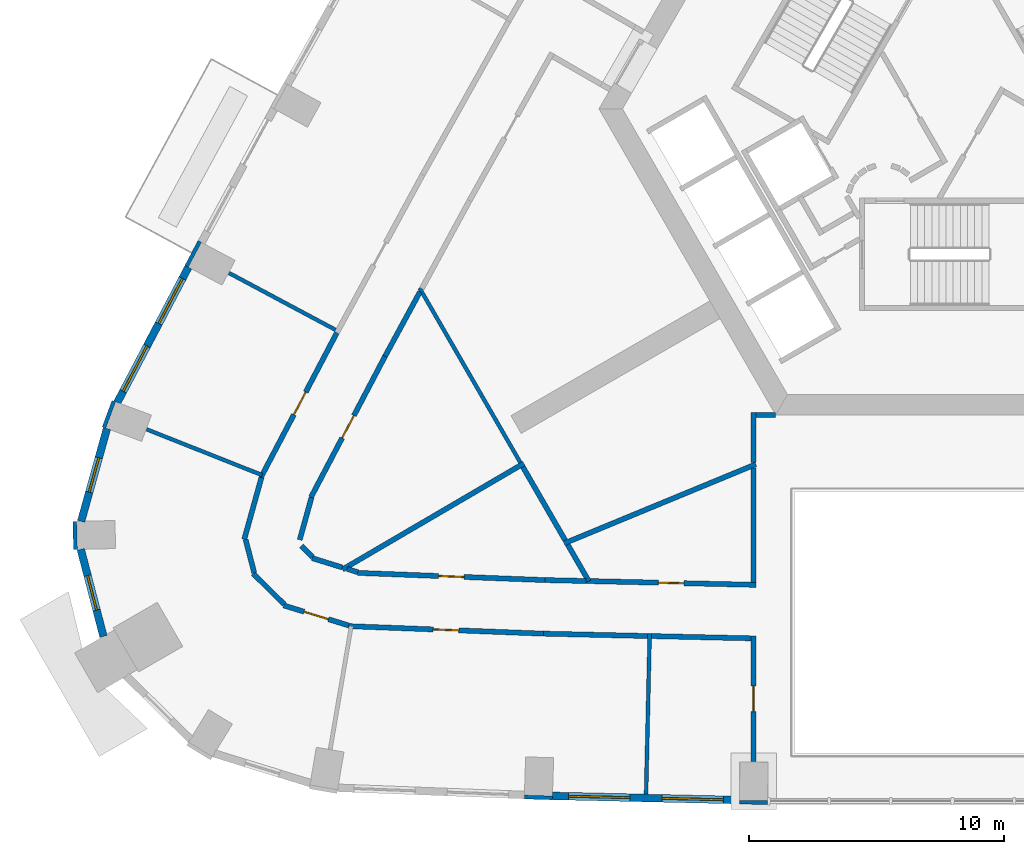
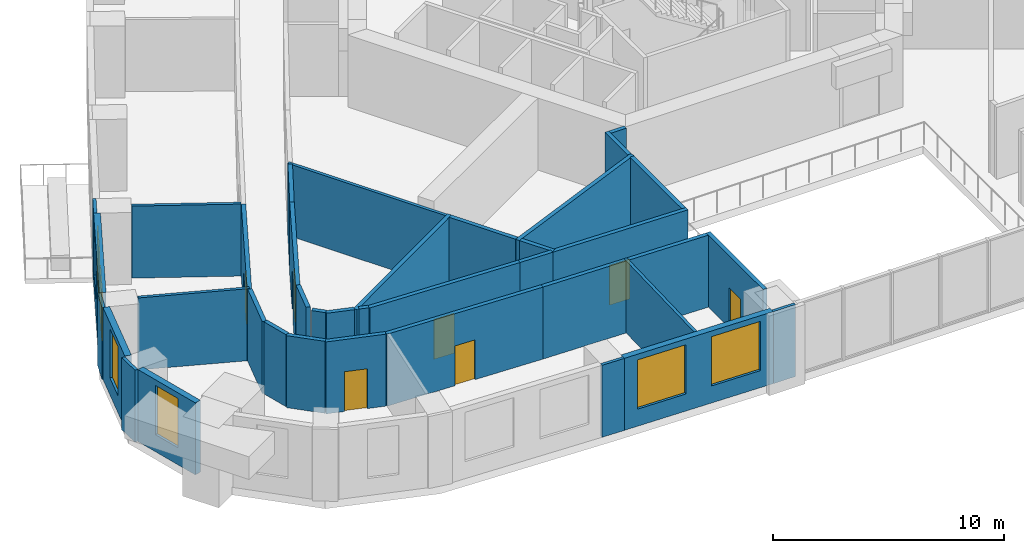
# One storey, part 4 of 14: 38 walls, 7 doors, 6 windows, 13 openings.
"""IFC4 building model written with IfcOpenShell, lengths in metres."""

from ifc_helpers import new_model, si_unit, direction, frame, frame_2d, origin, place, context, subcontext, project, spatial, rectangle, extrude, material, layer, layer_set, type_object, element, fill, save


model = new_model("IFC4")

# Units and contexts
model_context = context("Model", 3, precision=1e-05, world=origin(), true_north=direction((0.0, 1.0)))
body_context = subcontext(model_context, "Body", "Model", "MODEL_VIEW")
ifc_project = project(units=[si_unit("LENGTHUNIT", "METRE"), si_unit("AREAUNIT", "SQUARE_METRE"), si_unit("VOLUMEUNIT", "CUBIC_METRE"), si_unit("PLANEANGLEUNIT", "RADIAN"), si_unit("MASSUNIT", "GRAM", prefix="KILO")], contexts=[model_context])

# Site, building, storey
site_placement = place(None, origin())
site = spatial("IfcSite", under=ifc_project, at=site_placement, CompositionType="ELEMENT")
building_placement = place(site_placement, origin())
building = spatial("IfcBuilding", under=site, at=building_placement, Name="Entoto Arch Interchange Tower", CompositionType="ELEMENT")
storey_placement = place(building_placement, frame((0.0, 0.0, 159.199951171875)))
storey = spatial("IfcBuildingStorey", under=building, at=storey_placement, Name="L35", CompositionType="ELEMENT", Elevation=159.199951171875)

# Walls
ifc_material_1 = material(Name="Gypsum board partition on steel studs", Category="steel")
ifc_layer_1 = layer(ifc_material_1, 0.14990234375)
ifc_layer_set_1 = layer_set([ifc_layer_1], Name="Gypsum board partition on steel studs")
wall_type_1 = type_object("IfcWallType", Name="PARTITION 150", PredefinedType="PARTITIONING", material=ifc_layer_set_1)
wall_1_placement = place(storey_placement, frame((-16.93896484375, -11.360107421875, 0.0), z_axis=(0.0, 0.0, 1.0), x_axis=(-0.500053473428, 0.865994528685, 0.0)))
element("IfcWall", 1, at=wall_1_placement, inside=storey, type_object=wall_type_1, Name="wall:L35:p119", PredefinedType="PARTITIONING", context=body_context, shape_type="SweptSolid", body=[
    extrude(rectangle(XDim=7.895263671875, YDim=0.14990234375, at=frame_2d((3.94775390625, 0.0))), origin(), (0.0, 0.0, 1.0), 3.800048828125),
])
wall_2_placement = place(storey_placement, frame((-24.181884765625, -6.162109375, 0.0), z_axis=(0.0, 0.0, 1.0), x_axis=(-0.88214427755, 0.470979270866, 0.0)))
element("IfcWall", 2, at=wall_2_placement, inside=storey, type_object=wall_type_1, Name="wall:L35:p135", PredefinedType="PARTITIONING", context=body_context, shape_type="SweptSolid", body=[
    extrude(rectangle(XDim=4.730712890625, YDim=0.14990234375, at=frame_2d((2.365234375, 0.0))), origin(), (0.0, 0.0, 1.0), 3.800048828125),
])
wall_3_placement = place(storey_placement, frame((-27.05908203125, -11.85498046875, 0.0), z_axis=(0.0, 0.0, 1.0), x_axis=(-0.92964843089, 0.368447818481, 0.0)))
element("IfcWall", 3, at=wall_3_placement, inside=storey, type_object=wall_type_1, Name="wall:L35:p136", PredefinedType="PARTITIONING", context=body_context, shape_type="SweptSolid", body=[
    extrude(rectangle(XDim=4.8662109375, YDim=0.14990234375, at=frame_2d((2.43310546875, 0.0))), origin(), (0.0, 0.0, 1.0), 3.800048828125),
])
wall_4_placement = place(storey_placement, frame((-11.867919921875, -18.06298828125, 0.0), z_axis=(0.0, 0.0, 1.0), x_axis=(-0.022551528502, -0.999745681942, 0.0)))
element("IfcWall", 4, at=wall_4_placement, inside=storey, type_object=wall_type_1, Name="wall:L35:p138", PredefinedType="PARTITIONING", context=body_context, shape_type="SweptSolid", body=[
    extrude(rectangle(XDim=6.30078125, YDim=0.14990234375, at=frame_2d((3.150390625, 0.0))), origin(), (0.0, 0.0, 1.0), 3.800048828125),
])

# Wall, opening, door
ifc_layer_2 = layer(ifc_material_1, 0.199951171875)
ifc_layer_set_2 = layer_set([ifc_layer_2], Name="Gypsum board partition on steel studs")
wall_type_2 = type_object("IfcWallType", Name="PARTITION 200", PredefinedType="PARTITIONING", material=ifc_layer_set_2)
wall_5_placement = place(storey_placement, frame((-14.35595703125, -16.006103515625, 0.0), z_axis=(0.0, 0.0, 1.0), x_axis=(0.999743177933, -0.022662263286, 0.0)))
wall_5 = element("IfcWall", 5, at=wall_5_placement, inside=storey, type_object=wall_type_2, Name="wall:L35:p031", PredefinedType="PARTITIONING", context=body_context, shape_type="SweptSolid", body=[
    extrude(rectangle(XDim=6.65771484375, YDim=0.199951171875, at=frame_2d((3.328857421875, 0.0))), origin(), (0.0, 0.0, 1.0), 3.800048828125),
])
opening_1_placement = place(wall_5_placement, frame((2.8291015625, 0.0, 0.0)))
opening_1 = element("IfcOpeningElement", 6, at=opening_1_placement, cuts=wall_5, Name="Opening L35-D25", PredefinedType="OPENING", context=body_context, shape_type="SweptSolid", body=[
    extrude(rectangle(XDim=1.0, YDim=2.10009765625, at=frame_2d((0.5, 1.050048828125))), frame((0.0, 0.10986328125, 0.0), z_axis=(0.0, -1.0, 0.0), x_axis=(1.0, 0.0, 0.0)), (0.0, 0.0, 1.0), 0.219970703125),
])
ifc_material_2 = material(Name="Timber door leaf in Steel S235 frame", Category="steel")
door_type = type_object("IfcDoorType", Name="DOOR DS-10 1000x2100", OperationType="SINGLE_SWING_LEFT", PredefinedType="DOOR", material=ifc_material_2)
door_1_placement = place(opening_1_placement, origin())
door_1 = element("IfcDoor", 7, at=door_1_placement, inside=storey, type_object=door_type, Name="door:L35:25", OperationType="SINGLE_SWING_LEFT", OverallHeight=2.10009765625, OverallWidth=1.0, PredefinedType="DOOR", context=body_context, shape_type="SweptSolid", body=[
    extrude(rectangle(XDim=1.0, YDim=2.10009765625, at=frame_2d((0.5, 1.050048828125))), frame((0.0, 0.02490234375, 0.0), z_axis=(0.0, -1.0, 0.0), x_axis=(1.0, 0.0, 0.0)), (0.0, 0.0, 1.0), 0.050048828125),
])
fill(opening_1, door_1)

# Wall
wall_6_placement = place(storey_placement, frame((-20.873046875, -4.676025390625, 0.0), z_axis=(0.0, 0.0, 1.0), x_axis=(-0.476781985736, -0.879021579984, 0.0)))
element("IfcWall", 8, at=wall_6_placement, inside=storey, type_object=wall_type_2, Name="wall:L35:p032", PredefinedType="PARTITIONING", context=body_context, shape_type="SweptSolid", body=[
    extrude(rectangle(XDim=2.869140625, YDim=0.199951171875, at=frame_2d((1.4345703125, 0.0))), origin(), (0.0, 0.0, 1.0), 3.800048828125),
])

# Wall, opening, door
wall_7_placement = place(storey_placement, frame((-22.240966796875, -7.197998046875, 0.0), z_axis=(0.0, 0.0, 1.0), x_axis=(-0.465089990515, -0.885263407536, 0.0)))
wall_7 = element("IfcWall", 9, at=wall_7_placement, inside=storey, type_object=wall_type_2, Name="wall:L35:p033", PredefinedType="PARTITIONING", context=body_context, shape_type="SweptSolid", body=[
    extrude(rectangle(XDim=6.23974609375, YDim=0.199951171875, at=frame_2d((3.119873046875, 0.0))), origin(), (0.0, 0.0, 1.0), 3.800048828125),
])
opening_2_placement = place(wall_7_placement, frame((2.6201171875, 0.0, 0.0)))
opening_2 = element("IfcOpeningElement", 10, at=opening_2_placement, cuts=wall_7, Name="Opening L35-D26", PredefinedType="OPENING", context=body_context, shape_type="SweptSolid", body=[
    extrude(rectangle(XDim=1.0, YDim=2.10009765625, at=frame_2d((0.5, 1.050048828125))), frame((0.0, 0.10986328125, 0.0), z_axis=(0.0, -1.0, 0.0), x_axis=(1.0, 0.0, 0.0)), (0.0, 0.0, 1.0), 0.219970703125),
])
door_2_placement = place(opening_2_placement, origin())
door_2 = element("IfcDoor", 11, at=door_2_placement, inside=storey, type_object=door_type, Name="door:L35:26", OperationType="SINGLE_SWING_LEFT", OverallHeight=2.10009765625, OverallWidth=1.0, PredefinedType="DOOR", context=body_context, shape_type="SweptSolid", body=[
    extrude(rectangle(XDim=1.0, YDim=2.10009765625, at=frame_2d((0.5, 1.050048828125))), frame((0.0, 0.02490234375, 0.0), z_axis=(0.0, -1.0, 0.0), x_axis=(1.0, 0.0, 0.0)), (0.0, 0.0, 1.0), 0.050048828125),
])
fill(opening_2, door_2)

# Walls
wall_8_placement = place(storey_placement, frame((-25.123046875, -12.72998046875, 0.0), z_axis=(0.0, 0.0, 1.0), x_axis=(-0.268139825244, -0.963380005044, 0.0)))
element("IfcWall", 12, at=wall_8_placement, inside=storey, type_object=wall_type_2, Name="wall:L35:p034", PredefinedType="PARTITIONING", context=body_context, shape_type="SweptSolid", body=[
    extrude(rectangle(XDim=1.726318359375, YDim=0.199951171875, at=frame_2d((0.86328125, 0.0))), origin(), (0.0, 0.0, 1.0), 3.800048828125),
])
wall_9_placement = place(storey_placement, frame((-25.52587890625, -14.6259765625, 0.0), z_axis=(0.0, 0.0, 1.0), x_axis=(0.711758647644, -0.702424108003, 0.0)))
element("IfcWall", 13, at=wall_9_placement, inside=storey, type_object=wall_type_2, Name="wall:L35:p035", PredefinedType="PARTITIONING", context=body_context, shape_type="SweptSolid", body=[
    extrude(rectangle(XDim=0.627685546875, YDim=0.199951171875, at=frame_2d((0.31396484375, 0.0))), origin(), (0.0, 0.0, 1.0), 3.800048828125),
])
wall_10_placement = place(storey_placement, frame((-25.10302734375, -15.10791015625, 0.0), z_axis=(0.0, 0.0, 1.0), x_axis=(0.955420813731, -0.295247470251, 0.0)))
element("IfcWall", 14, at=wall_10_placement, inside=storey, type_object=wall_type_2, Name="wall:L35:p036", PredefinedType="PARTITIONING", context=body_context, shape_type="SweptSolid", body=[
    extrude(rectangle(XDim=1.240234375, YDim=0.199951171875, at=frame_2d((0.6201171875, 0.0))), origin(), (0.0, 0.0, 1.0), 3.800048828125),
])
wall_11_placement = place(storey_placement, frame((-23.72705078125, -15.531982421875, 0.0), z_axis=(0.0, 0.0, 1.0), x_axis=(0.955237350621, -0.295840504289, 0.0)))
element("IfcWall", 15, at=wall_11_placement, inside=storey, type_object=wall_type_2, Name="wall:L35:p037", PredefinedType="PARTITIONING", context=body_context, shape_type="SweptSolid", body=[
    extrude(rectangle(XDim=0.43994140625, YDim=0.199951171875, at=frame_2d((0.219970703125, 0.0))), origin(), (0.0, 0.0, 1.0), 3.800048828125),
])

# Wall, opening, door
wall_12_placement = place(storey_placement, frame((-23.31103515625, -15.68798828125, 0.0), z_axis=(0.0, 0.0, 1.0), x_axis=(0.999262695969, -0.038393546916, 0.0)))
wall_12 = element("IfcWall", 16, at=wall_12_placement, inside=storey, type_object=wall_type_2, Name="wall:L35:p038", PredefinedType="PARTITIONING", context=body_context, shape_type="SweptSolid", body=[
    extrude(rectangle(XDim=7.344482421875, YDim=0.199951171875, at=frame_2d((3.67236328125, 0.0))), origin(), (0.0, 0.0, 1.0), 3.800048828125),
])
opening_3_placement = place(wall_12_placement, frame((3.172119140625, 0.0, 0.0)))
opening_3 = element("IfcOpeningElement", 17, at=opening_3_placement, cuts=wall_12, Name="Opening L35-D27", PredefinedType="OPENING", context=body_context, shape_type="SweptSolid", body=[
    extrude(rectangle(XDim=1.0, YDim=2.10009765625, at=frame_2d((0.5, 1.050048828125))), frame((0.0, 0.10986328125, 0.0), z_axis=(0.0, -1.0, 0.0), x_axis=(1.0, 0.0, 0.0)), (0.0, 0.0, 1.0), 0.219970703125),
])
door_3_placement = place(opening_3_placement, origin())
door_3 = element("IfcDoor", 18, at=door_3_placement, inside=storey, type_object=door_type, Name="door:L35:27", OperationType="SINGLE_SWING_RIGHT", OverallHeight=2.10009765625, OverallWidth=1.0, PredefinedType="DOOR", context=body_context, shape_type="SweptSolid", body=[
    extrude(rectangle(XDim=1.0, YDim=2.10009765625, at=frame_2d((0.5, 1.050048828125))), frame((0.0, 0.02490234375, 0.0), z_axis=(0.0, -1.0, 0.0), x_axis=(1.0, 0.0, 0.0)), (0.0, 0.0, 1.0), 0.050048828125),
])
fill(opening_3, door_3)

# Wall
wall_13_placement = place(storey_placement, frame((-15.971923828125, -15.969970703125, 0.0), z_axis=(0.0, 0.0, 1.0), x_axis=(0.999750111735, -0.022354285623, 0.0)))
element("IfcWall", 19, at=wall_13_placement, inside=storey, type_object=wall_type_2, Name="wall:L35:p039", PredefinedType="PARTITIONING", context=body_context, shape_type="SweptSolid", body=[
    extrude(rectangle(XDim=1.616455078125, YDim=0.199951171875, at=frame_2d((0.80810546875, 0.0))), origin(), (0.0, 0.0, 1.0), 3.800048828125),
])

# Wall, opening, door
wall_14_placement = place(storey_placement, frame((-27.10595703125, -11.944091796875, 0.0), z_axis=(0.0, 0.0, 1.0), x_axis=(0.464985599417, 0.885318243534, 0.0)))
wall_14 = element("IfcWall", 20, at=wall_14_placement, inside=storey, type_object=wall_type_2, Name="wall:L35:p066", PredefinedType="PARTITIONING", context=body_context, shape_type="SweptSolid", body=[
    extrude(rectangle(XDim=6.40234375, YDim=0.199951171875, at=frame_2d((3.201171875, 0.0))), origin(), (0.0, 0.0, 1.0), 3.800048828125),
])
opening_4_placement = place(wall_14_placement, frame((2.77587890625, 0.0, 0.0)))
opening_4 = element("IfcOpeningElement", 21, at=opening_4_placement, cuts=wall_14, Name="Opening L35-D14", PredefinedType="OPENING", context=body_context, shape_type="SweptSolid", body=[
    extrude(rectangle(XDim=1.0, YDim=2.10009765625, at=frame_2d((0.5, 1.050048828125))), frame((0.0, 0.10986328125, 0.0), z_axis=(0.0, -1.0, 0.0), x_axis=(1.0, 0.0, 0.0)), (0.0, 0.0, 1.0), 0.219970703125),
])
door_4_placement = place(opening_4_placement, origin())
door_4 = element("IfcDoor", 22, at=door_4_placement, inside=storey, type_object=door_type, Name="door:L35:14", OperationType="SINGLE_SWING_LEFT", OverallHeight=2.10009765625, OverallWidth=1.0, PredefinedType="DOOR", context=body_context, shape_type="SweptSolid", body=[
    extrude(rectangle(XDim=1.0, YDim=2.10009765625, at=frame_2d((0.5, 1.050048828125))), frame((0.0, 0.02490234375, 0.0), z_axis=(0.0, -1.0, 0.0), x_axis=(1.0, 0.0, 0.0)), (0.0, 0.0, 1.0), 0.050048828125),
])
fill(opening_4, door_4)

wall_15_placement = place(storey_placement, frame((-23.6630859375, -17.75, 0.0), z_axis=(0.0, 0.0, 1.0), x_axis=(-0.955509582123, 0.294960062501, 0.0)))
wall_15 = element("IfcWall", 23, at=wall_15_placement, inside=storey, type_object=wall_type_2, Name="wall:L35:p067", PredefinedType="PARTITIONING", context=body_context, shape_type="SweptSolid", body=[
    extrude(rectangle(XDim=2.66845703125, YDim=0.199951171875, at=frame_2d((1.334228515625, 0.0))), origin(), (0.0, 0.0, 1.0), 3.800048828125),
])
opening_5_placement = place(wall_15_placement, frame((0.833984375, 0.0, 0.0)))
opening_5 = element("IfcOpeningElement", 24, at=opening_5_placement, cuts=wall_15, Name="Opening L35-D15", PredefinedType="OPENING", context=body_context, shape_type="SweptSolid", body=[
    extrude(rectangle(XDim=1.0, YDim=2.10009765625, at=frame_2d((0.5, 1.050048828125))), frame((0.0, 0.10986328125, 0.0), z_axis=(0.0, -1.0, 0.0), x_axis=(1.0, 0.0, 0.0)), (0.0, 0.0, 1.0), 0.219970703125),
])
door_5_placement = place(opening_5_placement, origin())
door_5 = element("IfcDoor", 25, at=door_5_placement, inside=storey, type_object=door_type, Name="door:L35:15", OperationType="SINGLE_SWING_LEFT", OverallHeight=2.10009765625, OverallWidth=1.0, PredefinedType="DOOR", context=body_context, shape_type="SweptSolid", body=[
    extrude(rectangle(XDim=1.0, YDim=2.10009765625, at=frame_2d((0.5, 1.050048828125))), frame((0.0, 0.02490234375, 0.0), z_axis=(0.0, -1.0, 0.0), x_axis=(1.0, 0.0, 0.0)), (0.0, 0.0, 1.0), 0.050048828125),
])
fill(opening_5, door_5)

# Walls
wall_16_placement = place(storey_placement, frame((-26.18798828125, -16.922119140625, 0.0), z_axis=(0.0, 0.0, 1.0), x_axis=(-0.712339678389, 0.701834868465, 0.0)))
element("IfcWall", 26, at=wall_16_placement, inside=storey, type_object=wall_type_2, Name="wall:L35:p068", PredefinedType="PARTITIONING", context=body_context, shape_type="SweptSolid", body=[
    extrude(rectangle(XDim=1.7197265625, YDim=0.199951171875, at=frame_2d((0.85986328125, 0.0))), origin(), (0.0, 0.0, 1.0), 3.800048828125),
])
wall_17_placement = place(storey_placement, frame((-27.366943359375, -15.68798828125, 0.0), z_axis=(0.0, 0.0, 1.0), x_axis=(-0.25159336549, 0.967833032316, 0.0)))
element("IfcWall", 27, at=wall_17_placement, inside=storey, type_object=wall_type_2, Name="wall:L35:p069", PredefinedType="PARTITIONING", context=body_context, shape_type="SweptSolid", body=[
    extrude(rectangle(XDim=1.355712890625, YDim=0.199951171875, at=frame_2d((0.677734375, 0.0))), origin(), (0.0, 0.0, 1.0), 3.800048828125),
])
wall_18_placement = place(storey_placement, frame((-27.760009765625, -14.3759765625, 0.0), z_axis=(0.0, 0.0, 1.0), x_axis=(0.267909096687, 0.963444194498, 0.0)))
element("IfcWall", 28, at=wall_18_placement, inside=storey, type_object=wall_type_2, Name="wall:L35:p070", PredefinedType="PARTITIONING", context=body_context, shape_type="SweptSolid", body=[
    extrude(rectangle(XDim=2.51611328125, YDim=0.199951171875, at=frame_2d((1.258056640625, 0.0))), origin(), (0.0, 0.0, 1.0), 3.800048828125),
])
wall_19_placement = place(storey_placement, frame((-11.945068359375, -18.162109375, 0.0), z_axis=(0.0, 0.0, 1.0), x_axis=(-0.999741589065, 0.022732247877, 0.0)))
element("IfcWall", 29, at=wall_19_placement, inside=storey, type_object=wall_type_2, Name="wall:L35:p071", PredefinedType="PARTITIONING", context=body_context, shape_type="SweptSolid", body=[
    extrude(rectangle(XDim=4.091796875, YDim=0.199951171875, at=frame_2d((2.0458984375, 0.0))), origin(), (0.0, 0.0, 1.0), 3.800048828125),
])

# Wall, opening, door
wall_20_placement = place(storey_placement, frame((-16.035888671875, -18.069091796875, 0.0), z_axis=(0.0, 0.0, 1.0), x_axis=(-0.999262637786, 0.038395061202, 0.0)))
wall_20 = element("IfcWall", 30, at=wall_20_placement, inside=storey, type_object=wall_type_2, Name="wall:L35:p072", PredefinedType="PARTITIONING", context=body_context, shape_type="SweptSolid", body=[
    extrude(rectangle(XDim=7.63671875, YDim=0.199951171875, at=frame_2d((3.818359375, 0.0))), origin(), (0.0, 0.0, 1.0), 3.800048828125),
])
opening_6_placement = place(wall_20_placement, frame((3.318115234375, 0.0, 0.0)))
opening_6 = element("IfcOpeningElement", 31, at=opening_6_placement, cuts=wall_20, Name="Opening L35-D16", PredefinedType="OPENING", context=body_context, shape_type="SweptSolid", body=[
    extrude(rectangle(XDim=1.0, YDim=2.10009765625, at=frame_2d((0.5, 1.050048828125))), frame((0.0, 0.10986328125, 0.0), z_axis=(0.0, -1.0, 0.0), x_axis=(1.0, 0.0, 0.0)), (0.0, 0.0, 1.0), 0.219970703125),
])
door_6_placement = place(opening_6_placement, origin())
door_6 = element("IfcDoor", 32, at=door_6_placement, inside=storey, type_object=door_type, Name="door:L35:16", OperationType="SINGLE_SWING_RIGHT", OverallHeight=2.10009765625, OverallWidth=1.0, PredefinedType="DOOR", context=body_context, shape_type="SweptSolid", body=[
    extrude(rectangle(XDim=1.0, YDim=2.10009765625, at=frame_2d((0.5, 1.050048828125))), frame((0.0, 0.02490234375, 0.0), z_axis=(0.0, -1.0, 0.0), x_axis=(1.0, 0.0, 0.0)), (0.0, 0.0, 1.0), 0.050048828125),
])
fill(opening_6, door_6)

# Walls
wall_21_placement = place(storey_placement, frame((-7.89990234375, -18.2529296875, 0.0), z_axis=(0.0, 0.0, 1.0), x_axis=(-0.999745510411, 0.022559131487, 0.0)))
element("IfcWall", 33, at=wall_21_placement, inside=storey, type_object=wall_type_2, Name="wall:L35:p073", PredefinedType="PARTITIONING", context=body_context, shape_type="SweptSolid", body=[
    extrude(rectangle(XDim=3.89599609375, YDim=0.199951171875, at=frame_2d((1.947998046875, 0.0))), origin(), (0.0, 0.0, 1.0), 3.800048828125),
])
wall_22_placement = place(storey_placement, frame((-7.800048828125, -11.367919921875, 0.0), z_axis=(0.0, 0.0, 1.0), x_axis=(0.0, 1.0, 0.0)))
element("IfcWall", 34, at=wall_22_placement, inside=storey, type_object=wall_type_2, Name="wall:L35:p105", PredefinedType="PARTITIONING", context=body_context, shape_type="SweptSolid", body=[
    extrude(rectangle(XDim=1.968994140625, YDim=0.199951171875, at=frame_2d((0.984375, 0.0))), origin(), (0.0, 0.0, 1.0), 3.800048828125),
])
wall_23_placement = place(storey_placement, frame((-7.699951171875, -9.4990234375, 0.0), z_axis=(0.0, 0.0, 1.0), x_axis=(1.0, 0.0, 0.0)))
element("IfcWall", 35, at=wall_23_placement, inside=storey, type_object=wall_type_2, Name="wall:L35:p106", PredefinedType="PARTITIONING", context=body_context, shape_type="SweptSolid", body=[
    extrude(rectangle(XDim=0.77099609375, YDim=0.199951171875, at=frame_2d((0.385498046875, 0.0))), origin(), (0.0, 0.0, 1.0), 3.800048828125),
])
wall_24_placement = place(storey_placement, frame((-7.800048828125, -16.054931640625, 0.0), z_axis=(0.0, 0.0, 1.0), x_axis=(0.0, 1.0, 0.0)))
element("IfcWall", 36, at=wall_24_placement, inside=storey, type_object=wall_type_2, Name="wall:L35:p107", PredefinedType="PARTITIONING", context=body_context, shape_type="SweptSolid", body=[
    extrude(rectangle(XDim=4.48681640625, YDim=0.199951171875, at=frame_2d((2.243408203125, 0.0))), origin(), (0.0, 0.0, 1.0), 3.800048828125),
])

# Wall, opening, door
wall_25_placement = place(storey_placement, frame((-7.800048828125, -23.0869140625, 0.0), z_axis=(0.0, 0.0, 1.0), x_axis=(0.0, 1.0, 0.0)))
wall_25 = element("IfcWall", 37, at=wall_25_placement, inside=storey, type_object=wall_type_2, Name="wall:L35:p109", PredefinedType="PARTITIONING", context=body_context, shape_type="SweptSolid", body=[
    extrude(rectangle(XDim=4.931884765625, YDim=0.199951171875, at=frame_2d((2.4658203125, 0.0))), origin(), (0.0, 0.0, 1.0), 3.800048828125),
])
opening_7_placement = place(wall_25_placement, frame((1.966064453125, 0.0, 0.0)))
opening_7 = element("IfcOpeningElement", 38, at=opening_7_placement, cuts=wall_25, Name="Opening L35-D17", PredefinedType="OPENING", context=body_context, shape_type="SweptSolid", body=[
    extrude(rectangle(XDim=1.0, YDim=2.10009765625, at=frame_2d((0.5, 1.050048828125))), frame((0.0, 0.10986328125, 0.0), z_axis=(0.0, -1.0, 0.0), x_axis=(1.0, 0.0, 0.0)), (0.0, 0.0, 1.0), 0.219970703125),
])
door_7_placement = place(opening_7_placement, origin())
door_7 = element("IfcDoor", 39, at=door_7_placement, inside=storey, type_object=door_type, Name="door:L35:17", OperationType="SINGLE_SWING_LEFT", OverallHeight=2.10009765625, OverallWidth=1.0, PredefinedType="DOOR", context=body_context, shape_type="SweptSolid", body=[
    extrude(rectangle(XDim=1.0, YDim=2.10009765625, at=frame_2d((0.5, 1.050048828125))), frame((0.0, 0.02490234375, 0.0), z_axis=(0.0, -1.0, 0.0), x_axis=(1.0, 0.0, 0.0)), (0.0, 0.0, 1.0), 0.050048828125),
])
fill(opening_7, door_7)

# Walls
wall_26_placement = place(storey_placement, frame((-7.7080078125, -11.429931640625, 0.0), z_axis=(0.0, 0.0, 1.0), x_axis=(-0.924285151797, -0.381702709144, 0.0)))
element("IfcWall", 40, at=wall_26_placement, inside=storey, type_object=wall_type_2, Name="wall:L35:p118", PredefinedType="PARTITIONING", context=body_context, shape_type="SweptSolid", body=[
    extrude(rectangle(XDim=8.12939453125, YDim=0.199951171875, at=frame_2d((4.064697265625, 0.0))), origin(), (0.0, 0.0, 1.0), 3.800048828125),
])
wall_27_placement = place(storey_placement, frame((-15.179931640625, -14.407958984375, 0.0), z_axis=(0.0, 0.0, 1.0), x_axis=(-0.499968694491, 0.866043477274, 0.0)))
element("IfcWall", 41, at=wall_27_placement, inside=storey, type_object=wall_type_2, Name="wall:L35:p120", PredefinedType="PARTITIONING", context=body_context, shape_type="SweptSolid", body=[
    extrude(rectangle(XDim=3.318603515625, YDim=0.199951171875, at=frame_2d((1.6591796875, 0.0))), origin(), (0.0, 0.0, 1.0), 3.800048828125),
])
wall_28_placement = place(storey_placement, frame((-14.256103515625, -16.009033203125, 0.0), z_axis=(0.0, 0.0, 1.0), x_axis=(-0.499786551025, 0.86614860354, 0.0)))
element("IfcWall", 42, at=wall_28_placement, inside=storey, type_object=wall_type_2, Name="wall:L35:p121", PredefinedType="PARTITIONING", context=body_context, shape_type="SweptSolid", body=[
    extrude(rectangle(XDim=1.648681640625, YDim=0.199951171875, at=frame_2d((0.82421875, 0.0))), origin(), (0.0, 0.0, 1.0), 3.800048828125),
])
wall_29_placement = place(storey_placement, frame((-16.802978515625, -11.39697265625, 0.0), z_axis=(0.0, 0.0, 1.0), x_axis=(-0.863203941699, -0.504855380318, 0.0)))
element("IfcWall", 43, at=wall_29_placement, inside=storey, type_object=wall_type_2, Name="wall:L35:p122", PredefinedType="PARTITIONING", context=body_context, shape_type="SweptSolid", body=[
    extrude(rectangle(XDim=8.232177734375, YDim=0.199951171875, at=frame_2d((4.1162109375, 0.0))), origin(), (0.0, 0.0, 1.0), 3.800048828125),
])

# Wall, openings, windows
ifc_material_3 = material(Name="Welded tuff (ignimbrite) cladding, warm buff", Category="masonry")
ifc_layer_3 = layer(ifc_material_3, 0.300048828125)
ifc_layer_set_3 = layer_set([ifc_layer_3], Name="Welded tuff (ignimbrite) cladding, warm buff")
wall_type_3 = type_object("IfcWallType", Name="STONE INFILL WALL 300", PredefinedType="STANDARD", material=ifc_layer_set_3)
wall_30_placement = place(storey_placement, frame((-15.679931640625, -24.428955078125, 0.0), z_axis=(0.0, 0.0, 1.0), x_axis=(0.999743825009, -0.022633699594, 0.0)))
wall_30 = element("IfcWall", 44, at=wall_30_placement, inside=storey, type_object=wall_type_3, Name="Facade wall S-02 L35", PredefinedType="STANDARD", context=body_context, shape_type="SweptSolid", body=[
    extrude(rectangle(XDim=7.3349609375, YDim=0.300048828125, at=frame_2d((3.66748046875, 0.0))), origin(), (0.0, 0.0, 1.0), 3.800048828125),
])
opening_8_placement = place(wall_30_placement, frame((0.634033203125, 0.0, 0.89990234375)))
opening_8 = element("IfcOpeningElement", 45, at=opening_8_placement, cuts=wall_30, Name="Opening WO-A", PredefinedType="OPENING", context=body_context, shape_type="SweptSolid", body=[
    extrude(rectangle(XDim=2.39990234375, YDim=2.60009765625, at=frame_2d((1.199951171875, 1.300048828125))), frame((0.0, 0.16015625, 0.0), z_axis=(0.0, -1.0, 0.0), x_axis=(1.0, 0.0, 0.0)), (0.0, 0.0, 1.0), 0.320068359375),
])
opening_9_placement = place(wall_30_placement, frame((4.301025390625, 0.0, 0.89990234375)))
opening_9 = element("IfcOpeningElement", 46, at=opening_9_placement, cuts=wall_30, Name="Opening WO-A", PredefinedType="OPENING", context=body_context, shape_type="SweptSolid", body=[
    extrude(rectangle(XDim=2.39990234375, YDim=2.60009765625, at=frame_2d((1.199951171875, 1.300048828125))), frame((0.0, 0.16015625, 0.0), z_axis=(0.0, -1.0, 0.0), x_axis=(1.0, 0.0, 0.0)), (0.0, 0.0, 1.0), 0.320068359375),
])
ifc_material_4 = material(Name="Clear glass, low-e double glazed", Category="glass")
window_type_1 = type_object("IfcWindowType", Name="WINDOW WO-A 2400x2600", PartitioningType="DOUBLE_PANEL_VERTICAL", PredefinedType="WINDOW", material=ifc_material_4)
window_1_placement = place(opening_8_placement, origin())
window_1 = element("IfcWindow", 47, at=window_1_placement, inside=storey, type_object=window_type_1, Name="Window WO-A S-02 L35", OverallHeight=2.60009765625, OverallWidth=2.39990234375, PartitioningType="SINGLE_PANEL", PredefinedType="WINDOW", context=body_context, shape_type="SweptSolid", body=[
    extrude(rectangle(XDim=2.39990234375, YDim=2.60009765625, at=frame_2d((1.199951171875, 1.300048828125))), frame((0.0, 0.030029296875, 0.0), z_axis=(0.0, -1.0, 0.0), x_axis=(1.0, 0.0, 0.0)), (0.0, 0.0, 1.0), 0.06005859375),
])
fill(opening_8, window_1)
window_2_placement = place(opening_9_placement, origin())
window_2 = element("IfcWindow", 48, at=window_2_placement, inside=storey, type_object=window_type_1, Name="Window WO-A S-02 L35", OverallHeight=2.60009765625, OverallWidth=2.39990234375, PartitioningType="SINGLE_PANEL", PredefinedType="WINDOW", context=body_context, shape_type="SweptSolid", body=[
    extrude(rectangle(XDim=2.39990234375, YDim=2.60009765625, at=frame_2d((1.199951171875, 1.300048828125))), frame((0.0, 0.030029296875, 0.0), z_axis=(0.0, -1.0, 0.0), x_axis=(1.0, 0.0, 0.0)), (0.0, 0.0, 1.0), 0.06005859375),
])
fill(opening_9, window_2)

wall_31_placement = place(storey_placement, frame((-29.950927734375, -3.705078125, 0.0), z_axis=(0.0, 0.0, 1.0), x_axis=(-0.465104650407, -0.885255705528, 0.0)))
wall_31 = element("IfcWall", 49, at=wall_31_placement, inside=storey, type_object=wall_type_3, Name="Facade wall NW-07 L35", PredefinedType="STANDARD", context=body_context, shape_type="SweptSolid", body=[
    extrude(rectangle(XDim=5.990234375, YDim=0.300048828125, at=frame_2d((2.9951171875, 0.0))), origin(), (0.0, 0.0, 1.0), 3.800048828125),
])
opening_10_placement = place(wall_31_placement, frame((0.498046875, 0.0, 0.89990234375)))
opening_10 = element("IfcOpeningElement", 50, at=opening_10_placement, cuts=wall_31, Name="Opening WO-C", PredefinedType="OPENING", context=body_context, shape_type="SweptSolid", body=[
    extrude(rectangle(XDim=2.0, YDim=2.60009765625, at=frame_2d((1.0, 1.300048828125))), frame((0.0, 0.16015625, 0.0), z_axis=(0.0, -1.0, 0.0), x_axis=(1.0, 0.0, 0.0)), (0.0, 0.0, 1.0), 0.320068359375),
])
opening_11_placement = place(wall_31_placement, frame((3.492919921875, 0.0, 0.89990234375)))
opening_11 = element("IfcOpeningElement", 51, at=opening_11_placement, cuts=wall_31, Name="Opening WO-C", PredefinedType="OPENING", context=body_context, shape_type="SweptSolid", body=[
    extrude(rectangle(XDim=2.0, YDim=2.60009765625, at=frame_2d((1.0, 1.300048828125))), frame((0.0, 0.16015625, 0.0), z_axis=(0.0, -1.0, 0.0), x_axis=(1.0, 0.0, 0.0)), (0.0, 0.0, 1.0), 0.320068359375),
])
window_type_2 = type_object("IfcWindowType", Name="WINDOW WO-C 2000x2600", PartitioningType="DOUBLE_PANEL_VERTICAL", PredefinedType="WINDOW", material=ifc_material_4)
window_3_placement = place(opening_10_placement, origin())
window_3 = element("IfcWindow", 52, at=window_3_placement, inside=storey, type_object=window_type_2, Name="Window WO-C NW-07 L35", OverallHeight=2.60009765625, OverallWidth=2.0, PartitioningType="SINGLE_PANEL", PredefinedType="WINDOW", context=body_context, shape_type="SweptSolid", body=[
    extrude(rectangle(XDim=2.0, YDim=2.60009765625, at=frame_2d((1.0, 1.300048828125))), frame((0.0, 0.030029296875, 0.0), z_axis=(0.0, -1.0, 0.0), x_axis=(1.0, 0.0, 0.0)), (0.0, 0.0, 1.0), 0.06005859375),
])
fill(opening_10, window_3)
window_4_placement = place(opening_11_placement, origin())
window_4 = element("IfcWindow", 53, at=window_4_placement, inside=storey, type_object=window_type_2, Name="Window WO-C NW-07 L35", OverallHeight=2.60009765625, OverallWidth=2.0, PartitioningType="SINGLE_PANEL", PredefinedType="WINDOW", context=body_context, shape_type="SweptSolid", body=[
    extrude(rectangle(XDim=2.0, YDim=2.60009765625, at=frame_2d((1.0, 1.300048828125))), frame((0.0, 0.030029296875, 0.0), z_axis=(0.0, -1.0, 0.0), x_axis=(1.0, 0.0, 0.0)), (0.0, 0.0, 1.0), 0.06005859375),
])
fill(opening_11, window_4)

# Wall, opening, window
wall_32_placement = place(storey_placement, frame((-33.14208984375, -10.029052734375, 0.0), z_axis=(0.0, 0.0, 1.0), x_axis=(-0.26799398221, -0.963420585985, 0.0)))
wall_32 = element("IfcWall", 54, at=wall_32_placement, inside=storey, type_object=wall_type_3, Name="Facade wall SW-01 L35", PredefinedType="STANDARD", context=body_context, shape_type="SweptSolid", body=[
    extrude(rectangle(XDim=3.776123046875, YDim=0.300048828125, at=frame_2d((1.88818359375, 0.0))), origin(), (0.0, 0.0, 1.0), 3.800048828125),
])
opening_12_placement = place(wall_32_placement, frame((1.18798828125, 0.0, 0.89990234375)))
opening_12 = element("IfcOpeningElement", 55, at=opening_12_placement, cuts=wall_32, Name="Opening WO-B", PredefinedType="OPENING", context=body_context, shape_type="SweptSolid", body=[
    extrude(rectangle(XDim=1.39990234375, YDim=2.60009765625, at=frame_2d((0.699951171875, 1.300048828125))), frame((0.0, 0.16015625, 0.0), z_axis=(0.0, -1.0, 0.0), x_axis=(1.0, 0.0, 0.0)), (0.0, 0.0, 1.0), 0.320068359375),
])
window_type_3 = type_object("IfcWindowType", Name="WINDOW WO-B 1400x2600", PartitioningType="DOUBLE_PANEL_VERTICAL", PredefinedType="WINDOW", material=ifc_material_4)
window_5_placement = place(opening_12_placement, origin())
window_5 = element("IfcWindow", 56, at=window_5_placement, inside=storey, type_object=window_type_3, Name="Window WO-B SW-01 L35", OverallHeight=2.60009765625, OverallWidth=1.39990234375, PartitioningType="SINGLE_PANEL", PredefinedType="WINDOW", context=body_context, shape_type="SweptSolid", body=[
    extrude(rectangle(XDim=1.39990234375, YDim=2.60009765625, at=frame_2d((0.699951171875, 1.300048828125))), frame((0.0, 0.030029296875, 0.0), z_axis=(0.0, -1.0, 0.0), x_axis=(1.0, 0.0, 0.0)), (0.0, 0.0, 1.0), 0.06005859375),
])
fill(opening_12, window_5)

wall_33_placement = place(storey_placement, frame((-34.1689453125, -14.76611328125, 0.0), z_axis=(0.0, 0.0, 1.0), x_axis=(0.252255494168, -0.967660666588, 0.0)))
wall_33 = element("IfcWall", 57, at=wall_33_placement, inside=storey, type_object=wall_type_3, Name="Facade wall SW-02 L35", PredefinedType="STANDARD", context=body_context, shape_type="SweptSolid", body=[
    extrude(rectangle(XDim=3.52392578125, YDim=0.300048828125, at=frame_2d((1.761962890625, 0.0))), origin(), (0.0, 0.0, 1.0), 3.800048828125),
])
opening_13_placement = place(wall_33_placement, frame((1.06201171875, 0.0, 0.89990234375)))
opening_13 = element("IfcOpeningElement", 58, at=opening_13_placement, cuts=wall_33, Name="Opening WO-B", PredefinedType="OPENING", context=body_context, shape_type="SweptSolid", body=[
    extrude(rectangle(XDim=1.39990234375, YDim=2.60009765625, at=frame_2d((0.699951171875, 1.300048828125))), frame((0.0, 0.16015625, 0.0), z_axis=(0.0, -1.0, 0.0), x_axis=(1.0, 0.0, 0.0)), (0.0, 0.0, 1.0), 0.320068359375),
])
window_6_placement = place(opening_13_placement, origin())
window_6 = element("IfcWindow", 59, at=window_6_placement, inside=storey, type_object=window_type_3, Name="Window WO-B SW-02 L35", OverallHeight=2.60009765625, OverallWidth=1.39990234375, PartitioningType="SINGLE_PANEL", PredefinedType="WINDOW", context=body_context, shape_type="SweptSolid", body=[
    extrude(rectangle(XDim=1.39990234375, YDim=2.60009765625, at=frame_2d((0.699951171875, 1.300048828125))), frame((0.0, 0.030029296875, 0.0), z_axis=(0.0, -1.0, 0.0), x_axis=(1.0, 0.0, 0.0)), (0.0, 0.0, 1.0), 0.06005859375),
])
fill(opening_13, window_6)

# Walls
ifc_layer_4 = layer(ifc_material_3, 0.14990234375)
ifc_layer_set_4 = layer_set([ifc_layer_4], Name="Welded tuff (ignimbrite) cladding, warm buff")
wall_type_4 = type_object("IfcWallType", Name="STONE PIER CLADDING 150", PredefinedType="STANDARD", material=ifc_layer_set_4)
for number, where, z_axis, x_axis, name in (
    (60, (-29.5029296875, -2.697998046875, 0.0), (0.0, 0.0, 1.0), (-0.470058271093, -0.88263538439, 0.0), "Stone pier NW07 L35"),
    (61, (-32.875, -8.9560546875, 0.0), (0.0, 0.0, 1.0), (-0.346425160624, -0.93807761304, 0.0), "Stone pier NW08 L35"),
):
    element("IfcWall", number, at=place(storey_placement, frame(where, z_axis=z_axis, x_axis=x_axis)), inside=storey, type_object=wall_type_4, Name=name, PredefinedType="STANDARD", context=body_context, shape_type="SweptSolid", body=[
        extrude(rectangle(XDim=1.10009765625, YDim=0.14990234375, at=frame_2d((0.550048828125, 0.0))), origin(), (0.0, 0.0, 1.0), 3.800048828125),
    ])
wall_34_placement = place(storey_placement, frame((-16.781005859375, -24.47412109375, 0.0), z_axis=(0.0, 0.0, 1.0), x_axis=(0.999523702549, -0.030860460829, 0.0)))
element("IfcWall", 62, at=wall_34_placement, inside=storey, type_object=wall_type_4, Name="Stone pier S02 L35", PredefinedType="STANDARD", context=body_context, shape_type="SweptSolid", body=[
    extrude(rectangle(XDim=1.099609375, YDim=0.14990234375, at=frame_2d((0.5498046875, 0.0))), origin(), (0.0, 0.0, 1.0), 3.800048828125),
])
for number, where, z_axis, x_axis, name in (
    (63, (-8.34912109375, -24.676025390625, 0.0), (0.0, 0.0, 1.0), (0.999940879068, -0.010873746799, 0.0), "Stone pier S03 L35"),
    (64, (-34.403076171875, -13.672119140625, 0.0), (0.0, 0.0, 1.0), (0.023744690764, -0.999718055084, 0.0), "Stone pier SW1 L35"),
):
    element("IfcWall", number, at=place(storey_placement, frame(where, z_axis=z_axis, x_axis=x_axis)), inside=storey, type_object=wall_type_4, Name=name, PredefinedType="STANDARD", context=body_context, shape_type="SweptSolid", body=[
        extrude(rectangle(XDim=1.10009765625, YDim=0.14990234375, at=frame_2d((0.550048828125, 0.0))), origin(), (0.0, 0.0, 1.0), 3.800048828125),
    ])

save(model, "model.ifc")
